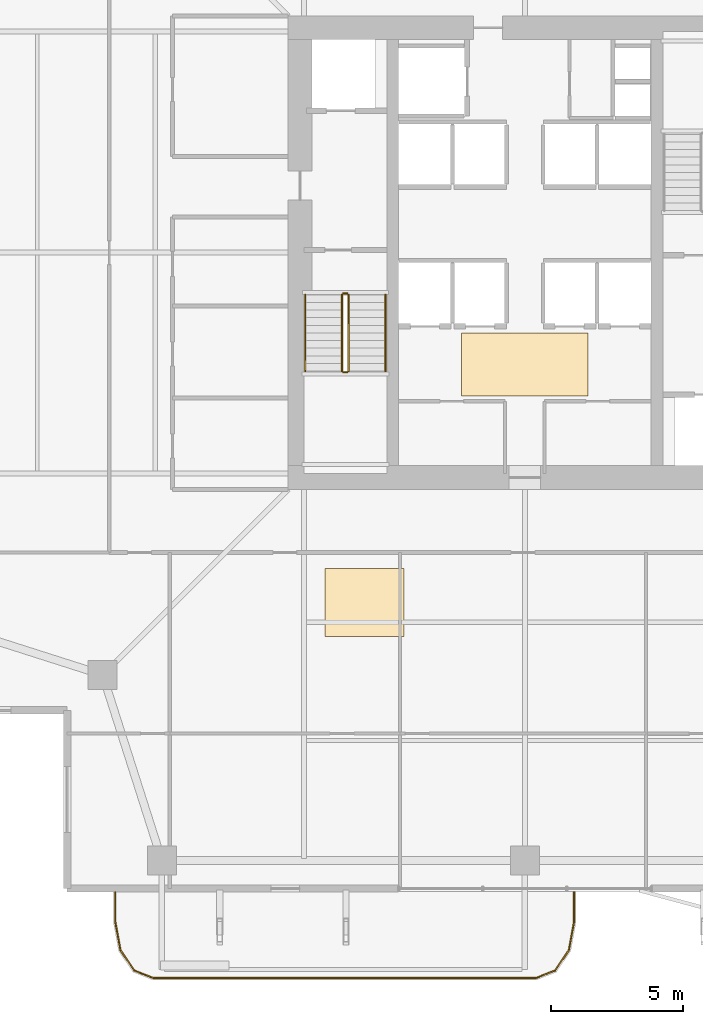
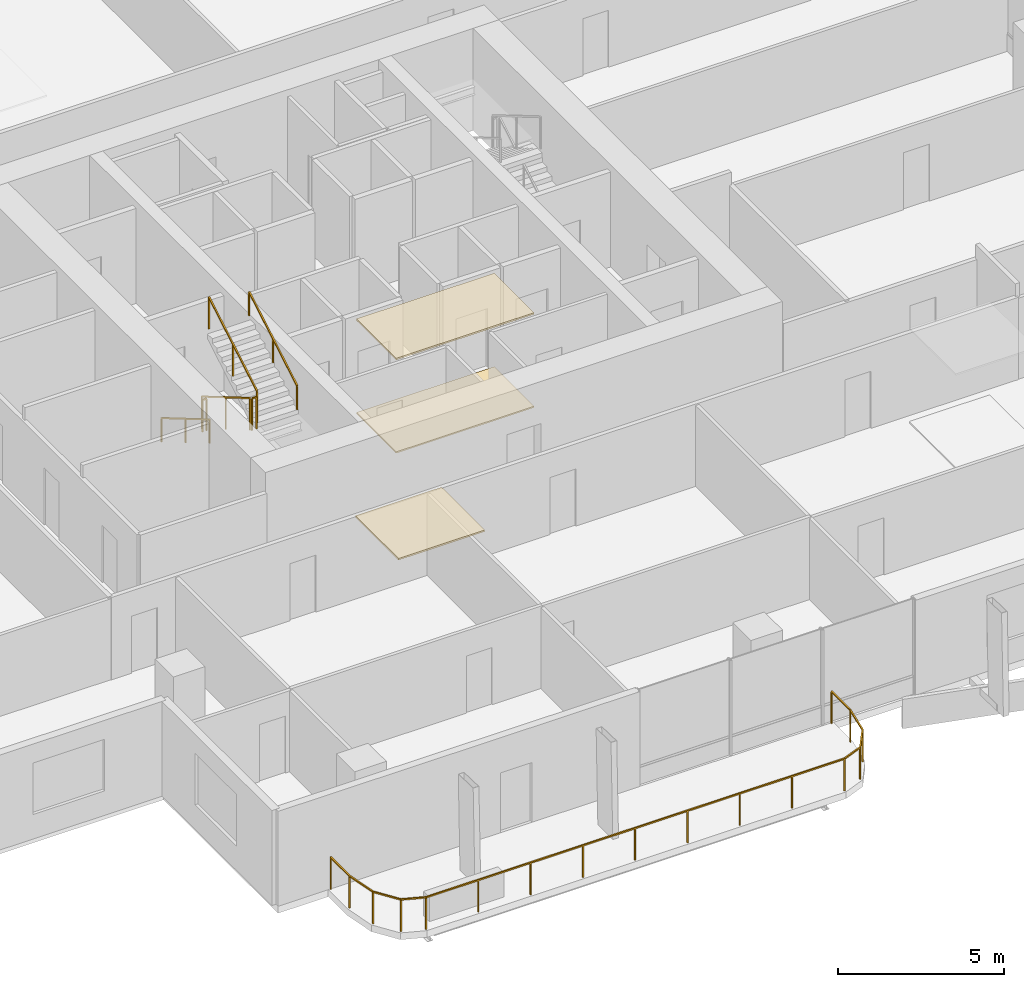
# One storey, part 23 of 25: 7 railings, 3 coverings.
"""IFC4 building model written with IfcOpenShell, lengths in metres."""

from ifc_helpers import new_model, si_unit, direction, frame, origin, origin_2d, place, context, subcontext, project, spatial, polyline, rectangle, outline, extrude, material, layer, layer_set, type_object, element, save


model = new_model("IFC4")

# Units and contexts
model_context = context("Model", 3, precision=1e-05, world=origin(), true_north=direction((0.0, 1.0)))
body_context = subcontext(model_context, "Body", "Model", "MODEL_VIEW")
ifc_project = project(units=[si_unit("LENGTHUNIT", "METRE"), si_unit("AREAUNIT", "SQUARE_METRE"), si_unit("VOLUMEUNIT", "CUBIC_METRE"), si_unit("PLANEANGLEUNIT", "RADIAN"), si_unit("MASSUNIT", "GRAM", prefix="KILO")], contexts=[model_context])

# Site, building, storey
site_placement = place(None, origin())
site = spatial("IfcSite", under=ifc_project, at=site_placement, CompositionType="ELEMENT")
building_placement = place(site_placement, origin())
building = spatial("IfcBuilding", under=site, at=building_placement, Name="Belovzor Exchange Tower", CompositionType="ELEMENT")
storey_placement = place(building_placement, frame((0.0, 0.0, 149.550048828125)))
storey = spatial("IfcBuildingStorey", under=building, at=storey_placement, Name="L36", CompositionType="ELEMENT", Elevation=149.550048828125)

# Railings
ifc_material_1 = material(Name="Stainless Steel Grade 304", Category="steel")
railing_type_1 = type_object("IfcRailingType", Name="Brushed Stainless Steel Stair Handrail 900", PredefinedType="HANDRAIL", material=ifc_material_1)
railing_1_placement = place(storey_placement, frame((20.449951171875, 27.199951171875, 0.17041015625)))
element("IfcRailing", 1, at=railing_1_placement, inside=storey, type_object=railing_type_1, Name="L36 ST-1 stair handrail 1", PredefinedType="HANDRAIL", context=body_context, shape_type="SweptSolid", body=[
    extrude(rectangle(XDim=0.048095703125, YDim=0.048095703125, at=origin_2d()), frame((0.0, 0.0, 0.8759765625), z_axis=(0.0, -0.86209462966, 0.506747323142), x_axis=(1.0, 0.0, 0.0)), (0.0, 0.0, 1.0), 3.36376953125),
    extrude(rectangle(XDim=0.0419921875, YDim=0.0419921875, at=origin_2d()), origin(), (0.0, 0.0, 1.0), 0.851806640625),
    extrude(rectangle(XDim=0.0419921875, YDim=0.0419921875, at=origin_2d()), frame((0.0, -1.449951171875, 0.852294921875)), (0.0, 0.0, 1.0), 0.851806640625),
    extrude(rectangle(XDim=0.0419921875, YDim=0.0419921875, at=origin_2d()), frame((0.0, -2.89990234375, 1.70458984375)), (0.0, 0.0, 1.0), 0.851806640625),
])
railing_2_placement = place(storey_placement, frame((23.5, 24.300048828125, 2.04541015625)))
element("IfcRailing", 2, at=railing_2_placement, inside=storey, type_object=railing_type_1, Name="L36 ST-1 stair handrail 2", PredefinedType="HANDRAIL", context=body_context, shape_type="SweptSolid", body=[
    extrude(rectangle(XDim=0.048095703125, YDim=0.048095703125, at=origin_2d()), frame((0.0, 0.0, 0.8759765625), z_axis=(0.0, 0.86209462966, 0.506747323142), x_axis=(-1.0, 0.0, 0.0)), (0.0, 0.0, 1.0), 3.36376953125),
    extrude(rectangle(XDim=0.0419921875, YDim=0.0419921875, at=origin_2d()), origin(), (0.0, 0.0, 1.0), 0.851806640625),
    extrude(rectangle(XDim=0.0419921875, YDim=0.0419921875, at=origin_2d()), frame((0.0, 1.449951171875, 0.852294921875)), (0.0, 0.0, 1.0), 0.851806640625),
    extrude(rectangle(XDim=0.0419921875, YDim=0.0419921875, at=origin_2d()), frame((0.0, 2.89990234375, 1.70458984375)), (0.0, 0.0, 1.0), 0.851806640625),
])
ifc_material_2 = material(Name="Stainless Steel and Laminated Safety Glass", Category="steel")
railing_type_2 = type_object("IfcRailingType", Name="Laminated Glass & Stainless Steel Balcony Balustrade 1200", PredefinedType="BALUSTRADE", material=ifc_material_2)
railing_3_placement = place(storey_placement, frame((13.22998046875, 4.489990234375, 0.0)))
element("IfcRailing", 3, at=railing_3_placement, inside=storey, type_object=railing_type_2, Name="GR-1 Balcony Balustrade L36 South", PredefinedType="BALUSTRADE", context=body_context, shape_type="SweptSolid", body=[
    extrude(rectangle(XDim=0.048095703125, YDim=0.048095703125, at=origin_2d()), frame((0.0, 0.0, 1.17578125), z_axis=(0.0, -1.0, 0.0), x_axis=(1.0, 0.0, 0.0)), (0.0, 0.0, 1.0), 1.133056640625),
    extrude(rectangle(XDim=0.048095703125, YDim=0.048095703125, at=origin_2d()), frame((0.0, -1.133056640625, 1.17578125), z_axis=(0.180122719713, -0.983644145941, 0.0), x_axis=(0.983644145941, 0.180122719713, 0.0)), (0.0, 0.0, 1.0), 1.09375),
    extrude(rectangle(XDim=0.048095703125, YDim=0.048095703125, at=origin_2d()), frame((0.197021484375, -2.208984375, 1.17578125), z_axis=(0.562768145367, -0.826614792125, 0.0), x_axis=(0.826614792125, 0.562768145367, 0.0)), (0.0, 0.0, 1.0), 0.9326171875),
    extrude(rectangle(XDim=0.048095703125, YDim=0.048095703125, at=origin_2d()), frame((0.721923828125, -2.97998046875, 1.17578125), z_axis=(0.930809580156, -0.365504480807, 0.0), x_axis=(0.365504480807, 0.930809580156, 0.0)), (0.0, 0.0, 1.0), 0.76611328125),
    extrude(rectangle(XDim=0.048095703125, YDim=0.048095703125, at=origin_2d()), frame((1.43505859375, -3.260009765625, 1.17578125), z_axis=(1.0, 0.0, 0.0), x_axis=(0.0, 1.0, 0.0)), (0.0, 0.0, 1.0), 14.570068359375),
    extrude(rectangle(XDim=0.048095703125, YDim=0.048095703125, at=origin_2d()), frame((16.005126953125, -3.260009765625, 1.17578125), z_axis=(0.930766990125, 0.365612923861, 0.0), x_axis=(-0.365612923861, 0.930766990125, 0.0)), (0.0, 0.0, 1.0), 0.765869140625),
    extrude(rectangle(XDim=0.048095703125, YDim=0.048095703125, at=origin_2d()), frame((16.718017578125, -2.97998046875, 1.17578125), z_axis=(0.562768145367, 0.826614792125, 0.0), x_axis=(-0.826614792125, 0.562768145367, 0.0)), (0.0, 0.0, 1.0), 0.9326171875),
    extrude(rectangle(XDim=0.048095703125, YDim=0.048095703125, at=origin_2d()), frame((17.242919921875, -2.208984375, 1.17578125), z_axis=(0.180122719713, 0.983644145941, 0.0), x_axis=(-0.983644145941, 0.180122719713, 0.0)), (0.0, 0.0, 1.0), 1.09375),
    extrude(rectangle(XDim=0.048095703125, YDim=0.048095703125, at=origin_2d()), frame((17.43994140625, -1.133056640625, 1.17578125), z_axis=(0.0, 1.0, 0.0), x_axis=(-1.0, 0.0, 0.0)), (0.0, 0.0, 1.0), 1.133056640625),
    extrude(rectangle(XDim=0.0419921875, YDim=0.0419921875, at=origin_2d()), origin(), (0.0, 0.0, 1.0), 1.15185546875),
    extrude(rectangle(XDim=0.0419921875, YDim=0.0419921875, at=origin_2d()), frame((0.0, -1.133056640625, 0.0)), (0.0, 0.0, 1.0), 1.15185546875),
    extrude(rectangle(XDim=0.0419921875, YDim=0.0419921875, at=origin_2d()), frame((0.197021484375, -2.208984375, 0.0)), (0.0, 0.0, 1.0), 1.15185546875),
    extrude(rectangle(XDim=0.0419921875, YDim=0.0419921875, at=origin_2d()), frame((0.721923828125, -2.97998046875, 0.0)), (0.0, 0.0, 1.0), 1.15185546875),
    extrude(rectangle(XDim=0.0419921875, YDim=0.0419921875, at=origin_2d()), frame((1.43505859375, -3.260009765625, 0.0)), (0.0, 0.0, 1.0), 1.15185546875),
    extrude(rectangle(XDim=0.0419921875, YDim=0.0419921875, at=origin_2d()), frame((3.25634765625, -3.260009765625, 0.0)), (0.0, 0.0, 1.0), 1.15185546875),
    extrude(rectangle(XDim=0.0419921875, YDim=0.0419921875, at=origin_2d()), frame((5.07763671875, -3.260009765625, 0.0)), (0.0, 0.0, 1.0), 1.15185546875),
    extrude(rectangle(XDim=0.0419921875, YDim=0.0419921875, at=origin_2d()), frame((6.89892578125, -3.260009765625, 0.0)), (0.0, 0.0, 1.0), 1.15185546875),
    extrude(rectangle(XDim=0.0419921875, YDim=0.0419921875, at=origin_2d()), frame((8.72021484375, -3.260009765625, 0.0)), (0.0, 0.0, 1.0), 1.15185546875),
    extrude(rectangle(XDim=0.0419921875, YDim=0.0419921875, at=origin_2d()), frame((10.541259765625, -3.260009765625, 0.0)), (0.0, 0.0, 1.0), 1.15185546875),
    extrude(rectangle(XDim=0.0419921875, YDim=0.0419921875, at=origin_2d()), frame((12.362548828125, -3.260009765625, 0.0)), (0.0, 0.0, 1.0), 1.15185546875),
    extrude(rectangle(XDim=0.0419921875, YDim=0.0419921875, at=origin_2d()), frame((14.183837890625, -3.260009765625, 0.0)), (0.0, 0.0, 1.0), 1.15185546875),
    extrude(rectangle(XDim=0.0419921875, YDim=0.0419921875, at=origin_2d()), frame((16.005126953125, -3.260009765625, 0.0)), (0.0, 0.0, 1.0), 1.15185546875),
    extrude(rectangle(XDim=0.0419921875, YDim=0.0419921875, at=origin_2d()), frame((16.718017578125, -2.97998046875, 0.0)), (0.0, 0.0, 1.0), 1.15185546875),
    extrude(rectangle(XDim=0.0419921875, YDim=0.0419921875, at=origin_2d()), frame((17.242919921875, -2.208984375, 0.0)), (0.0, 0.0, 1.0), 1.15185546875),
    extrude(rectangle(XDim=0.0419921875, YDim=0.0419921875, at=origin_2d()), frame((17.43994140625, -1.133056640625, 0.0)), (0.0, 0.0, 1.0), 1.15185546875),
    extrude(rectangle(XDim=0.0419921875, YDim=0.0419921875, at=origin_2d()), frame((17.43994140625, 0.0, 0.0)), (0.0, 0.0, 1.0), 1.15185546875),
])
ifc_material_3 = material(Name="Steel S355", Category="steel")
railing_type_3 = type_object("IfcRailingType", Name="Painted Steel Stairwell Guardrail 1200", PredefinedType="GUARDRAIL", material=ifc_material_3)
railing_4_placement = place(storey_placement, frame((21.85009765625, 27.199951171875, 0.17041015625)))
element("IfcRailing", 4, at=railing_4_placement, inside=storey, type_object=railing_type_3, Name="L36 ST-1 stair guard 1", PredefinedType="GUARDRAIL", context=body_context, shape_type="SweptSolid", body=[
    extrude(rectangle(XDim=0.048095703125, YDim=0.048095703125, at=origin_2d()), frame((0.0, 0.0, 1.17578125), z_axis=(0.0, -0.86209462966, 0.506747323142), x_axis=(1.0, 0.0, 0.0)), (0.0, 0.0, 1.0), 3.36376953125),
    extrude(rectangle(XDim=0.0419921875, YDim=0.0419921875, at=origin_2d()), origin(), (0.0, 0.0, 1.0), 1.15185546875),
    extrude(rectangle(XDim=0.0419921875, YDim=0.0419921875, at=origin_2d()), frame((0.0, -1.449951171875, 0.852294921875)), (0.0, 0.0, 1.0), 1.15185546875),
    extrude(rectangle(XDim=0.0419921875, YDim=0.0419921875, at=origin_2d()), frame((0.0, -2.89990234375, 1.70458984375)), (0.0, 0.0, 1.0), 1.15185546875),
])
railing_5_placement = place(storey_placement, frame((21.89990234375, 24.25, 1.875)))
element("IfcRailing", 5, at=railing_5_placement, inside=storey, type_object=railing_type_3, Name="L36 ST-1 stair guard 2", PredefinedType="GUARDRAIL", context=body_context, shape_type="SweptSolid", body=[
    extrude(rectangle(XDim=0.048095703125, YDim=0.048095703125, at=origin_2d()), frame((0.0, 0.0, 1.17578125), z_axis=(1.0, 0.0, 0.0), x_axis=(0.0, 1.0, 0.0)), (0.0, 0.0, 1.0), 0.150146484375),
    extrude(rectangle(XDim=0.0419921875, YDim=0.0419921875, at=origin_2d()), origin(), (0.0, 0.0, 1.0), 1.15185546875),
    extrude(rectangle(XDim=0.0419921875, YDim=0.0419921875, at=origin_2d()), frame((0.150146484375, 0.0, 0.0)), (0.0, 0.0, 1.0), 1.15185546875),
])
railing_6_placement = place(storey_placement, frame((22.10009765625, 24.300048828125, 2.04541015625)))
element("IfcRailing", 6, at=railing_6_placement, inside=storey, type_object=railing_type_3, Name="L36 ST-1 stair guard 3", PredefinedType="GUARDRAIL", context=body_context, shape_type="SweptSolid", body=[
    extrude(rectangle(XDim=0.048095703125, YDim=0.048095703125, at=origin_2d()), frame((0.0, 0.0, 1.17578125), z_axis=(0.0, 0.86209462966, 0.506747323142), x_axis=(-1.0, 0.0, 0.0)), (0.0, 0.0, 1.0), 3.36376953125),
    extrude(rectangle(XDim=0.0419921875, YDim=0.0419921875, at=origin_2d()), origin(), (0.0, 0.0, 1.0), 1.15185546875),
    extrude(rectangle(XDim=0.0419921875, YDim=0.0419921875, at=origin_2d()), frame((0.0, 1.449951171875, 0.852294921875)), (0.0, 0.0, 1.0), 1.15185546875),
    extrude(rectangle(XDim=0.0419921875, YDim=0.0419921875, at=origin_2d()), frame((0.0, 2.89990234375, 1.70458984375)), (0.0, 0.0, 1.0), 1.15185546875),
])
railing_7_placement = place(storey_placement, frame((21.89990234375, 27.25, 0.0)))
element("IfcRailing", 7, at=railing_7_placement, inside=storey, type_object=railing_type_3, Name="L36 ST-1 stair guard 4", PredefinedType="GUARDRAIL", context=body_context, shape_type="SweptSolid", body=[
    extrude(rectangle(XDim=0.048095703125, YDim=0.048095703125, at=origin_2d()), frame((0.0, 0.0, 1.17578125), z_axis=(1.0, 0.0, 0.0), x_axis=(0.0, 1.0, 0.0)), (0.0, 0.0, 1.0), 0.150146484375),
    extrude(rectangle(XDim=0.0419921875, YDim=0.0419921875, at=origin_2d()), origin(), (0.0, 0.0, 1.0), 1.15185546875),
    extrude(rectangle(XDim=0.0419921875, YDim=0.0419921875, at=origin_2d()), frame((0.150146484375, 0.0, 0.0)), (0.0, 0.0, 1.0), 1.15185546875),
])

# Coverings
ifc_material_4 = material(Name="Perforated Powder-Coated Aluminium", Category="aluminium")
ifc_layer_1 = layer(ifc_material_4, 0.06005859375)
ifc_layer_set_1 = layer_set([ifc_layer_1], Name="Perforated Powder-Coated Aluminium")
covering_type_1 = type_object("IfcCoveringType", Name="Perforated Acoustic Metal Tile Suspended Ceiling 60", PredefinedType="CEILING", material=ifc_layer_set_1)
covering_1_placement = place(storey_placement, frame((0.0, 0.0, 3.43505859375)))
element("IfcCovering", 8, at=covering_1_placement, inside=storey, type_object=covering_type_1, Name="CLG-AC60 Suspended Ceiling CLG-L36-LOB", PredefinedType="CEILING", context=body_context, shape_type="SweptSolid", body=[
    extrude(outline(polyline([(26.39990234375, 23.35009765625), (31.199951171875, 23.35009765625), (31.199951171875, 25.75), (26.39990234375, 25.75), (26.39990234375, 23.35009765625)])), origin(), (0.0, 0.0, 1.0), 0.059814453125),
])
covering_2_placement = place(storey_placement, frame((0.0, 0.0, 3.43505859375)))
element("IfcCovering", 9, at=covering_2_placement, inside=storey, type_object=covering_type_1, Name="CLG-AC60 Suspended Ceiling CLG-L36-Z0", PredefinedType="CEILING", context=body_context, shape_type="SweptSolid", body=[
    extrude(outline(polyline([(21.199951171875, 14.199951171875), (24.199951171875, 14.199951171875), (24.199951171875, 16.800048828125), (21.199951171875, 16.800048828125), (21.199951171875, 14.199951171875)])), origin(), (0.0, 0.0, 1.0), 0.059814453125),
])
ifc_material_5 = material(Name="Polished Natural Granite Tile", Category="masonry")
ifc_layer_2 = layer(ifc_material_5, 0.050048828125)
ifc_layer_set_2 = layer_set([ifc_layer_2], Name="Polished Natural Granite Tile")
covering_type_2 = type_object("IfcCoveringType", Name="Polished Karelian Granite & Raised Access Floor Finish 50", PredefinedType="FLOORING", material=ifc_layer_set_2)
covering_3_placement = place(storey_placement, origin())
element("IfcCovering", 10, at=covering_3_placement, inside=storey, type_object=covering_type_2, Name="FLR-GR50 Floor Finish FLR-L36-LOB", PredefinedType="FLOORING", context=body_context, shape_type="SweptSolid", body=[
    extrude(outline(polyline([(26.39990234375, 23.35009765625), (31.199951171875, 23.35009765625), (31.199951171875, 25.75), (26.39990234375, 25.75), (26.39990234375, 23.35009765625)])), origin(), (0.0, 0.0, 1.0), 0.050048828125),
])

save(model, "model.ifc")
